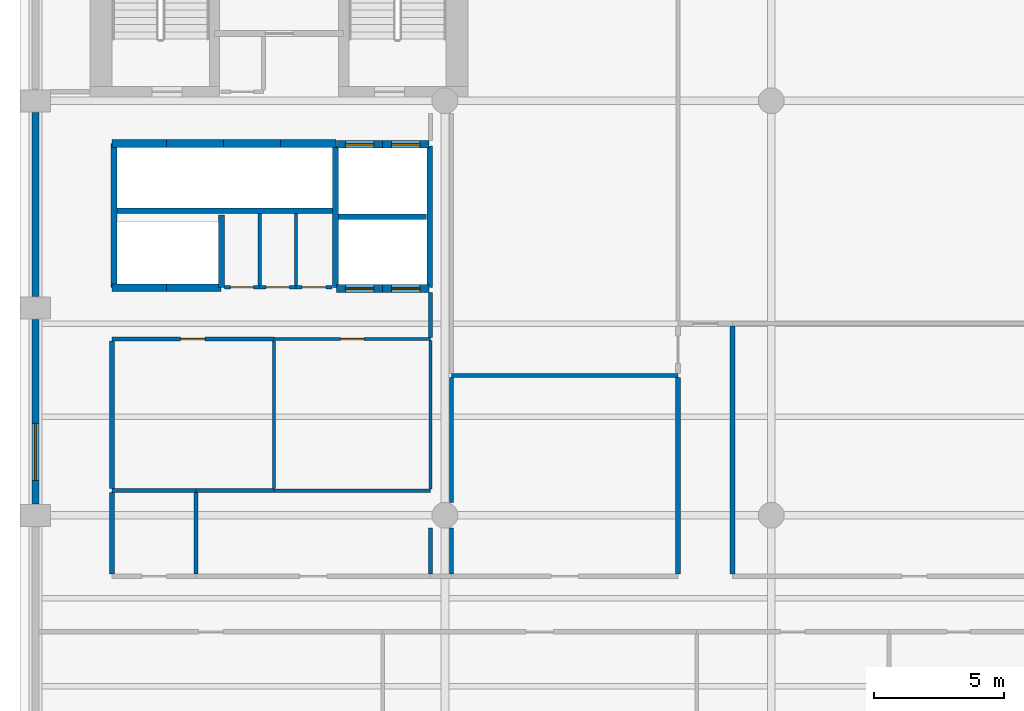
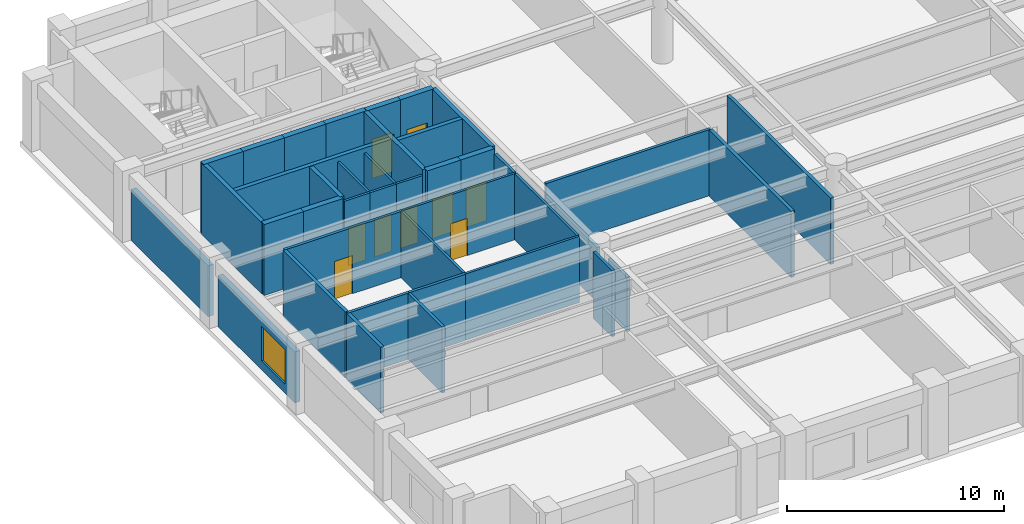
# One storey, part 3 of 8: 40 walls, 9 doors, 1 window, 10 openings.
"""IFC4 building model written with IfcOpenShell, lengths in metres."""

from ifc_helpers import new_model, si_unit, direction, frame, frame_2d, origin, place, context, subcontext, project, spatial, rectangle, extrude, material, layer, layer_set, type_object, element, fill, save


model = new_model("IFC4")

# Units and contexts
model_context = context("Model", 3, precision=1e-05, world=origin(), true_north=direction((0.0, 1.0)))
body_context = subcontext(model_context, "Body", "Model", "MODEL_VIEW")
ifc_project = project(units=[si_unit("LENGTHUNIT", "METRE"), si_unit("AREAUNIT", "SQUARE_METRE"), si_unit("VOLUMEUNIT", "CUBIC_METRE"), si_unit("PLANEANGLEUNIT", "RADIAN"), si_unit("MASSUNIT", "GRAM", prefix="KILO")], contexts=[model_context])

# Site, building, storey
site_placement = place(None, origin())
site = spatial("IfcSite", under=ifc_project, at=site_placement, CompositionType="ELEMENT")
building_placement = place(site_placement, origin())
building = spatial("IfcBuilding", under=site, at=building_placement, Name="Sulina Concourse Tower", CompositionType="ELEMENT")
storey_placement = place(building_placement, frame((0.0, 0.0, 116.60009765625)))
storey = spatial("IfcBuildingStorey", under=building, at=storey_placement, Name="L28", CompositionType="ELEMENT", Elevation=116.60009765625)

# Walls
ifc_material_1 = material(Name="Concrete C50/60", Category="concrete")
ifc_layer_1 = layer(ifc_material_1, 0.219970703125)
ifc_layer_set_1 = layer_set([ifc_layer_1], Name="Concrete C50/60")
wall_type_1 = type_object("IfcWallType", Name="Core Lift Hoistway Divider Wall 220mm", PredefinedType="SOLIDWALL", material=ifc_layer_set_1)
wall_1_placement = place(storey_placement, frame((3.550048828125, 29.75, 0.0), z_axis=(0.0, 0.0, 1.0), x_axis=(1.0, 0.0, 0.0)))
element("IfcWall", 1, at=wall_1_placement, inside=storey, type_object=wall_type_1, Name="L28 shaft divider wall HW-LP3-S", PredefinedType="SOLIDWALL", context=body_context, shape_type="SweptSolid", body=[
    extrude(rectangle(XDim=8.64990234375, YDim=0.219970703125, at=frame_2d((4.324951171875, 0.0))), origin(), (0.0, 0.0, 1.0), 4.0),
])
wall_2_placement = place(storey_placement, frame((3.6298828125, 26.800048828125, 0.0), z_axis=(0.0, 0.0, 1.0), x_axis=(0.0, 1.0, 0.0)))
element("IfcWall", 2, at=wall_2_placement, inside=storey, type_object=wall_type_1, Name="L28 shaft divider wall HW-LP3-W", PredefinedType="SOLIDWALL", context=body_context, shape_type="SweptSolid", body=[
    extrude(rectangle(XDim=5.550048828125, YDim=0.219970703125, at=frame_2d((2.77490234375, 0.0))), origin(), (0.0, 0.0, 1.0), 4.0),
])
wall_3_placement = place(storey_placement, frame((7.780029296875, 26.800048828125, 0.0), z_axis=(0.0, 0.0, 1.0), x_axis=(0.0, 1.0, 0.0)))
element("IfcWall", 3, at=wall_3_placement, inside=storey, type_object=wall_type_1, Name="L28 shaft divider wall HW-EXP-E", PredefinedType="SOLIDWALL", context=body_context, shape_type="SweptSolid", body=[
    extrude(rectangle(XDim=2.800048828125, YDim=0.219970703125, at=frame_2d((1.39990234375, 0.0))), origin(), (0.0, 0.0, 1.0), 4.0),
])
for number, where, z_axis, x_axis, name in (
    (4, (12.179931640625, 26.800048828125, 0.0), (0.0, 0.0, 1.0), (0.0, 1.0, 0.0), "L28 shaft divider wall HW-LP2-W"),
    (5, (15.820068359375, 26.800048828125, 0.0), (0.0, 0.0, 1.0), (0.0, 1.0, 0.0), "L28 shaft divider wall HW-LP2-E"),
):
    element("IfcWall", number, at=place(storey_placement, frame(where, z_axis=z_axis, x_axis=x_axis)), inside=storey, type_object=wall_type_1, Name=name, PredefinedType="SOLIDWALL", context=body_context, shape_type="SweptSolid", body=[
        extrude(rectangle(XDim=5.449951171875, YDim=0.219970703125, at=frame_2d((2.72509765625, 0.0))), origin(), (0.0, 0.0, 1.0), 4.0),
    ])
wall_4_placement = place(storey_placement, frame((12.300048828125, 29.52001953125, 0.0), z_axis=(0.0, 0.0, 1.0), x_axis=(1.0, 0.0, 0.0)))
element("IfcWall", 6, at=wall_4_placement, inside=storey, type_object=wall_type_1, Name="L28 shaft divider wall HW-LP2-M", PredefinedType="SOLIDWALL", context=body_context, shape_type="SweptSolid", body=[
    extrude(rectangle(XDim=3.39990234375, YDim=0.219970703125, at=frame_2d((1.699951171875, 0.0))), origin(), (0.0, 0.0, 1.0), 4.0),
])

# Wall, opening, door
ifc_material_2 = material(Name="Concrete C50/60", Category="concrete")
ifc_layer_2 = layer(ifc_material_2, 0.300048828125)
ifc_layer_set_2 = layer_set([ifc_layer_2], Name="Concrete C50/60")
wall_type_2 = type_object("IfcWallType", Name="Core Lift Hoistway Wall 300mm", PredefinedType="SOLIDWALL", material=ifc_layer_set_2)
wall_5_placement = place(storey_placement, frame((14.0, 26.75, 0.0), z_axis=(0.0, 0.0, 1.0), x_axis=(-1.0, 0.0, 0.0)))
wall_5 = element("IfcWall", 7, at=wall_5_placement, inside=storey, type_object=wall_type_2, Name="L28 hoistway enclosure wall LP-05", PredefinedType="SOLIDWALL", context=body_context, shape_type="SweptSolid", body=[
    extrude(rectangle(XDim=1.780029296875, YDim=0.300048828125, at=frame_2d((0.89013671875, 0.0))), origin(), (0.0, 0.0, 1.0), 4.0),
])
opening_1_placement = place(wall_5_placement, frame((0.340087890625, 0.0, 0.0)))
opening_1 = element("IfcOpeningElement", 8, at=opening_1_placement, cuts=wall_5, Name="Opening LD-01", PredefinedType="OPENING", context=body_context, shape_type="SweptSolid", body=[
    extrude(rectangle(XDim=1.10009765625, YDim=2.199951171875, at=frame_2d((0.550048828125, 1.10009765625))), frame((0.0, 0.159912109375, 0.0), z_axis=(0.0, -1.0, 0.0), x_axis=(1.0, 0.0, 0.0)), (0.0, 0.0, 1.0), 0.320068359375),
])
ifc_material_3 = material(Name="Stainless steel lift landing door", Category="steel")
ifc_layer_3 = layer(ifc_material_3, 0.050048828125)
ifc_layer_set_3 = layer_set([ifc_layer_3], Name="Stainless steel lift landing door")
door_type_1 = type_object("IfcDoorType", Name="Passenger Lift Sliding Landing Door 1100x2200", OperationType="SLIDING_TO_LEFT", PredefinedType="DOOR", material=ifc_layer_set_3)
door_1_placement = place(opening_1_placement, origin())
door_1 = element("IfcDoor", 9, at=door_1_placement, inside=storey, type_object=door_type_1, Name="L28 lift landing sliding door LP-05", OperationType="SLIDING_TO_LEFT", OverallHeight=2.199951171875, OverallWidth=1.10009765625, PredefinedType="DOOR", context=body_context, shape_type="SweptSolid", body=[
    extrude(rectangle(XDim=1.10009765625, YDim=2.199951171875, at=frame_2d((0.550048828125, 1.10009765625))), frame((0.0, 0.02490234375, 0.0), z_axis=(0.0, -1.0, 0.0), x_axis=(1.0, 0.0, 0.0)), (0.0, 0.0, 1.0), 0.050048828125),
])
fill(opening_1, door_1)

wall_6_placement = place(storey_placement, frame((15.780029296875, 26.75, 0.0), z_axis=(0.0, 0.0, 1.0), x_axis=(-1.0, 0.0, 0.0)))
wall_6 = element("IfcWall", 10, at=wall_6_placement, inside=storey, type_object=wall_type_2, Name="L28 hoistway enclosure wall LP-06", PredefinedType="SOLIDWALL", context=body_context, shape_type="SweptSolid", body=[
    extrude(rectangle(XDim=1.780029296875, YDim=0.300048828125, at=frame_2d((0.89013671875, 0.0))), origin(), (0.0, 0.0, 1.0), 4.0),
])
opening_2_placement = place(wall_6_placement, frame((0.340087890625, 0.0, 0.0)))
opening_2 = element("IfcOpeningElement", 11, at=opening_2_placement, cuts=wall_6, Name="Opening LD-01", PredefinedType="OPENING", context=body_context, shape_type="SweptSolid", body=[
    extrude(rectangle(XDim=1.10009765625, YDim=2.199951171875, at=frame_2d((0.550048828125, 1.10009765625))), frame((0.0, 0.159912109375, 0.0), z_axis=(0.0, -1.0, 0.0), x_axis=(1.0, 0.0, 0.0)), (0.0, 0.0, 1.0), 0.320068359375),
])
door_2_placement = place(opening_2_placement, origin())
door_2 = element("IfcDoor", 12, at=door_2_placement, inside=storey, type_object=door_type_1, Name="L28 lift landing sliding door LP-06", OperationType="SLIDING_TO_RIGHT", OverallHeight=2.199951171875, OverallWidth=1.10009765625, PredefinedType="DOOR", context=body_context, shape_type="SweptSolid", body=[
    extrude(rectangle(XDim=1.10009765625, YDim=2.199951171875, at=frame_2d((0.550048828125, 1.10009765625))), frame((0.0, 0.02490234375, 0.0), z_axis=(0.0, -1.0, 0.0), x_axis=(1.0, 0.0, 0.0)), (0.0, 0.0, 1.0), 0.050048828125),
])
fill(opening_2, door_2)

wall_7_placement = place(storey_placement, frame((12.219970703125, 32.320068359375, 0.0), z_axis=(0.0, 0.0, 1.0), x_axis=(1.0, 0.0, 0.0)))
wall_7 = element("IfcWall", 13, at=wall_7_placement, inside=storey, type_object=wall_type_2, Name="L28 hoistway enclosure wall LP-07", PredefinedType="SOLIDWALL", context=body_context, shape_type="SweptSolid", body=[
    extrude(rectangle(XDim=1.780029296875, YDim=0.300048828125, at=frame_2d((0.89013671875, 0.0))), origin(), (0.0, 0.0, 1.0), 4.0),
])
opening_3_placement = place(wall_7_placement, frame((0.340087890625, 0.0, 0.0)))
opening_3 = element("IfcOpeningElement", 14, at=opening_3_placement, cuts=wall_7, Name="Opening LD-01", PredefinedType="OPENING", context=body_context, shape_type="SweptSolid", body=[
    extrude(rectangle(XDim=1.10009765625, YDim=2.199951171875, at=frame_2d((0.550048828125, 1.10009765625))), frame((0.0, 0.159912109375, 0.0), z_axis=(0.0, -1.0, 0.0), x_axis=(1.0, 0.0, 0.0)), (0.0, 0.0, 1.0), 0.320068359375),
])
door_3_placement = place(opening_3_placement, origin())
door_3 = element("IfcDoor", 15, at=door_3_placement, inside=storey, type_object=door_type_1, Name="L28 lift landing sliding door LP-07", OperationType="SLIDING_TO_LEFT", OverallHeight=2.199951171875, OverallWidth=1.10009765625, PredefinedType="DOOR", context=body_context, shape_type="SweptSolid", body=[
    extrude(rectangle(XDim=1.10009765625, YDim=2.199951171875, at=frame_2d((0.550048828125, 1.10009765625))), frame((0.0, 0.02490234375, 0.0), z_axis=(0.0, -1.0, 0.0), x_axis=(1.0, 0.0, 0.0)), (0.0, 0.0, 1.0), 0.050048828125),
])
fill(opening_3, door_3)

wall_8_placement = place(storey_placement, frame((14.0, 32.320068359375, 0.0), z_axis=(0.0, 0.0, 1.0), x_axis=(1.0, 0.0, 0.0)))
wall_8 = element("IfcWall", 16, at=wall_8_placement, inside=storey, type_object=wall_type_2, Name="L28 hoistway enclosure wall LP-08", PredefinedType="SOLIDWALL", context=body_context, shape_type="SweptSolid", body=[
    extrude(rectangle(XDim=1.780029296875, YDim=0.300048828125, at=frame_2d((0.89013671875, 0.0))), origin(), (0.0, 0.0, 1.0), 4.0),
])
opening_4_placement = place(wall_8_placement, frame((0.340087890625, 0.0, 0.0)))
opening_4 = element("IfcOpeningElement", 17, at=opening_4_placement, cuts=wall_8, Name="Opening LD-01", PredefinedType="OPENING", context=body_context, shape_type="SweptSolid", body=[
    extrude(rectangle(XDim=1.10009765625, YDim=2.199951171875, at=frame_2d((0.550048828125, 1.10009765625))), frame((0.0, 0.159912109375, 0.0), z_axis=(0.0, -1.0, 0.0), x_axis=(1.0, 0.0, 0.0)), (0.0, 0.0, 1.0), 0.320068359375),
])
door_4_placement = place(opening_4_placement, origin())
door_4 = element("IfcDoor", 18, at=door_4_placement, inside=storey, type_object=door_type_1, Name="L28 lift landing sliding door LP-08", OperationType="SLIDING_TO_RIGHT", OverallHeight=2.199951171875, OverallWidth=1.10009765625, PredefinedType="DOOR", context=body_context, shape_type="SweptSolid", body=[
    extrude(rectangle(XDim=1.10009765625, YDim=2.199951171875, at=frame_2d((0.550048828125, 1.10009765625))), frame((0.0, 0.02490234375, 0.0), z_axis=(0.0, -1.0, 0.0), x_axis=(1.0, 0.0, 0.0)), (0.0, 0.0, 1.0), 0.050048828125),
])
fill(opening_4, door_4)

# Walls
wall_9_placement = place(storey_placement, frame((3.550048828125, 32.35009765625, 0.0), z_axis=(0.0, 0.0, 1.0), x_axis=(1.0, 0.0, 0.0)))
element("IfcWall", 19, at=wall_9_placement, inside=storey, type_object=wall_type_2, Name="L28 hoistway enclosure wall LP-09", PredefinedType="SOLIDWALL", context=body_context, shape_type="SweptSolid", body=[
    extrude(rectangle(XDim=2.099853515625, YDim=0.300048828125, at=frame_2d((1.0498046875, 0.0))), origin(), (0.0, 0.0, 1.0), 4.0),
])
wall_10_placement = place(storey_placement, frame((5.64990234375, 32.35009765625, 0.0), z_axis=(0.0, 0.0, 1.0), x_axis=(1.0, 0.0, 0.0)))
element("IfcWall", 20, at=wall_10_placement, inside=storey, type_object=wall_type_2, Name="L28 hoistway enclosure wall LP-10", PredefinedType="SOLIDWALL", context=body_context, shape_type="SweptSolid", body=[
    extrude(rectangle(XDim=2.2001953125, YDim=0.300048828125, at=frame_2d((1.10009765625, 0.0))), origin(), (0.0, 0.0, 1.0), 4.0),
])
wall_11_placement = place(storey_placement, frame((7.85009765625, 32.35009765625, 0.0), z_axis=(0.0, 0.0, 1.0), x_axis=(1.0, 0.0, 0.0)))
element("IfcWall", 21, at=wall_11_placement, inside=storey, type_object=wall_type_2, Name="L28 hoistway enclosure wall LP-11", PredefinedType="SOLIDWALL", context=body_context, shape_type="SweptSolid", body=[
    extrude(rectangle(XDim=2.199951171875, YDim=0.300048828125, at=frame_2d((1.10009765625, 0.0))), origin(), (0.0, 0.0, 1.0), 4.0),
])
wall_12_placement = place(storey_placement, frame((10.050048828125, 32.35009765625, 0.0), z_axis=(0.0, 0.0, 1.0), x_axis=(1.0, 0.0, 0.0)))
element("IfcWall", 22, at=wall_12_placement, inside=storey, type_object=wall_type_2, Name="L28 hoistway enclosure wall LP-12", PredefinedType="SOLIDWALL", context=body_context, shape_type="SweptSolid", body=[
    extrude(rectangle(XDim=2.14990234375, YDim=0.300048828125, at=frame_2d((1.074951171875, 0.0))), origin(), (0.0, 0.0, 1.0), 4.0),
])
wall_13_placement = place(storey_placement, frame((5.64990234375, 26.780029296875, 0.0), z_axis=(0.0, 0.0, 1.0), x_axis=(-1.0, 0.0, 0.0)))
element("IfcWall", 23, at=wall_13_placement, inside=storey, type_object=wall_type_2, Name="L28 hoistway enclosure wall EXP-1", PredefinedType="SOLIDWALL", context=body_context, shape_type="SweptSolid", body=[
    extrude(rectangle(XDim=2.099853515625, YDim=0.300048828125, at=frame_2d((1.0498046875, 0.0))), origin(), (0.0, 0.0, 1.0), 4.0),
])
wall_14_placement = place(storey_placement, frame((7.75, 26.780029296875, 0.0), z_axis=(0.0, 0.0, 1.0), x_axis=(-1.0, 0.0, 0.0)))
element("IfcWall", 24, at=wall_14_placement, inside=storey, type_object=wall_type_2, Name="L28 hoistway enclosure wall EXP-2", PredefinedType="SOLIDWALL", context=body_context, shape_type="SweptSolid", body=[
    extrude(rectangle(XDim=2.10009765625, YDim=0.300048828125, at=frame_2d((1.050048828125, 0.0))), origin(), (0.0, 0.0, 1.0), 4.0),
])
ifc_material_4 = material(Name="Gypsum board on steel stud", Category="steel")
ifc_layer_4 = layer(ifc_material_4, 0.14990234375)
ifc_layer_set_4 = layer_set([ifc_layer_4], Name="Gypsum board on steel stud")
wall_type_3 = type_object("IfcWallType", Name="Inter-Tenancy Acoustic Partition 150mm", PredefinedType="PARTITIONING", material=ifc_layer_set_4)
wall_15_placement = place(storey_placement, frame((3.550048828125, 18.949951171875, 0.0), z_axis=(0.0, 0.0, 1.0), x_axis=(1.0, 0.0, 0.0)))
element("IfcWall", 25, at=wall_15_placement, inside=storey, type_object=wall_type_3, Name="L28 interior partition 013", PredefinedType="PARTITIONING", context=body_context, shape_type="SweptSolid", body=[
    extrude(rectangle(XDim=3.25, YDim=0.14990234375, at=frame_2d((1.625, 0.0))), origin(), (0.0, 0.0, 1.0), 3.724853515625),
])
wall_16_placement = place(storey_placement, frame((6.800048828125, 18.949951171875, 0.0), z_axis=(0.0, 0.0, 1.0), x_axis=(1.0, 0.0, 0.0)))
element("IfcWall", 26, at=wall_16_placement, inside=storey, type_object=wall_type_3, Name="L28 interior partition 014", PredefinedType="PARTITIONING", context=body_context, shape_type="SweptSolid", body=[
    extrude(rectangle(XDim=3.0, YDim=0.14990234375, at=frame_2d((1.5, 0.0))), origin(), (0.0, 0.0, 1.0), 3.724853515625),
])
wall_17_placement = place(storey_placement, frame((16.64990234375, 23.39990234375, 0.0), z_axis=(0.0, 0.0, 1.0), x_axis=(1.0, 0.0, 0.0)))
element("IfcWall", 27, at=wall_17_placement, inside=storey, type_object=wall_type_3, Name="L28 interior partition 016", PredefinedType="PARTITIONING", context=body_context, shape_type="SweptSolid", body=[
    extrude(rectangle(XDim=8.75, YDim=0.14990234375, at=frame_2d((4.375, 0.0))), origin(), (0.0, 0.0, 1.0), 3.724853515625),
])

# Wall, opening, door
wall_18_placement = place(storey_placement, frame((3.550048828125, 24.800048828125, 0.0), z_axis=(0.0, 0.0, 1.0), x_axis=(1.0, 0.0, 0.0)))
wall_18 = element("IfcWall", 28, at=wall_18_placement, inside=storey, type_object=wall_type_3, Name="L28 interior partition 017", PredefinedType="PARTITIONING", context=body_context, shape_type="SweptSolid", body=[
    extrude(rectangle(XDim=6.25, YDim=0.14990234375, at=frame_2d((3.125, 0.0))), origin(), (0.0, 0.0, 1.0), 3.724853515625),
])
opening_5_placement = place(wall_18_placement, frame((2.64990234375, 0.0, 0.0)))
opening_5 = element("IfcOpeningElement", 29, at=opening_5_placement, cuts=wall_18, Name="Opening DR-19", PredefinedType="OPENING", context=body_context, shape_type="SweptSolid", body=[
    extrude(rectangle(XDim=0.949951171875, YDim=2.14990234375, at=frame_2d((0.47509765625, 1.074951171875))), frame((0.0, 0.0849609375, 0.0), z_axis=(0.0, -1.0, 0.0), x_axis=(1.0, 0.0, 0.0)), (0.0, 0.0, 1.0), 0.169921875),
])
ifc_material_5 = material(Name="Oak-veneered acoustic timber leaf", Category="wood")
ifc_layer_5 = layer(ifc_material_5, 0.050048828125)
ifc_layer_set_5 = layer_set([ifc_layer_5], Name="Oak-veneered acoustic timber leaf")
door_type_2 = type_object("IfcDoorType", Name="Cellular Office & Meeting Door 950x2150", OperationType="NOTDEFINED", PredefinedType="DOOR", material=ifc_layer_set_5)
door_5_placement = place(opening_5_placement, origin())
door_5 = element("IfcDoor", 30, at=door_5_placement, inside=storey, type_object=door_type_2, Name="L28 interior door L28-LR-MRG1", OperationType="SINGLE_SWING_LEFT", OverallHeight=2.14990234375, OverallWidth=0.949951171875, PredefinedType="DOOR", context=body_context, shape_type="SweptSolid", body=[
    extrude(rectangle(XDim=0.949951171875, YDim=2.14990234375, at=frame_2d((0.47509765625, 1.074951171875))), frame((0.0, 0.02490234375, 0.0), z_axis=(0.0, -1.0, 0.0), x_axis=(1.0, 0.0, 0.0)), (0.0, 0.0, 1.0), 0.050048828125),
])
fill(opening_5, door_5)

# Walls
wall_19_placement = place(storey_placement, frame((6.800048828125, 15.739990234375, 0.0), z_axis=(0.0, 0.0, 1.0), x_axis=(0.0, 1.0, 0.0)))
element("IfcWall", 31, at=wall_19_placement, inside=storey, type_object=wall_type_3, Name="L28 interior partition 032", PredefinedType="PARTITIONING", context=body_context, shape_type="SweptSolid", body=[
    extrude(rectangle(XDim=3.135009765625, YDim=0.14990234375, at=frame_2d((1.5673828125, 0.0))), origin(), (0.0, 0.0, 1.0), 3.724853515625),
])
wall_20_placement = place(storey_placement, frame((15.85009765625, 15.739990234375, 0.0), z_axis=(0.0, 0.0, 1.0), x_axis=(0.0, 1.0, 0.0)))
element("IfcWall", 32, at=wall_20_placement, inside=storey, type_object=wall_type_3, Name="L28 interior partition 038", PredefinedType="PARTITIONING", context=body_context, shape_type="SweptSolid", body=[
    extrude(rectangle(XDim=1.760009765625, YDim=0.14990234375, at=frame_2d((0.8798828125, 0.0))), origin(), (0.0, 0.0, 1.0), 3.724853515625),
])
wall_21_placement = place(storey_placement, frame((15.85009765625, 24.862548828125, 0.0), z_axis=(0.0, 0.0, 1.0), x_axis=(0.0, 1.0, 0.0)))
element("IfcWall", 33, at=wall_21_placement, inside=storey, type_object=wall_type_3, Name="L28 interior partition 040", PredefinedType="PARTITIONING", context=body_context, shape_type="SweptSolid", body=[
    extrude(rectangle(XDim=1.737548828125, YDim=0.14990234375, at=frame_2d((0.86865234375, 0.0))), origin(), (0.0, 0.0, 1.0), 3.724853515625),
])
wall_22_placement = place(storey_placement, frame((16.64990234375, 15.739990234375, 0.0), z_axis=(0.0, 0.0, 1.0), x_axis=(0.0, 1.0, 0.0)))
element("IfcWall", 34, at=wall_22_placement, inside=storey, type_object=wall_type_3, Name="L28 interior partition 042", PredefinedType="PARTITIONING", context=body_context, shape_type="SweptSolid", body=[
    extrude(rectangle(XDim=1.760009765625, YDim=0.14990234375, at=frame_2d((0.8798828125, 0.0))), origin(), (0.0, 0.0, 1.0), 3.06982421875),
])
wall_23_placement = place(storey_placement, frame((16.64990234375, 18.5, 0.0), z_axis=(0.0, 0.0, 1.0), x_axis=(0.0, 1.0, 0.0)))
element("IfcWall", 35, at=wall_23_placement, inside=storey, type_object=wall_type_3, Name="L28 interior partition 043", PredefinedType="PARTITIONING", context=body_context, shape_type="SweptSolid", body=[
    extrude(rectangle(XDim=4.824951171875, YDim=0.14990234375, at=frame_2d((2.41259765625, 0.0))), origin(), (0.0, 0.0, 1.0), 3.06982421875),
])
ifc_material_6 = material(Name="Gypsum board on steel stud", Category="steel")
ifc_layer_6 = layer(ifc_material_6, 0.179931640625)
ifc_layer_set_6 = layer_set([ifc_layer_6], Name="Gypsum board on steel stud")
wall_type_4 = type_object("IfcWallType", Name="Protected Corridor & Riser Partition 180mm", PredefinedType="PARTITIONING", material=ifc_layer_set_6)
wall_24_placement = place(storey_placement, frame((3.550048828125, 15.739990234375, 0.0), z_axis=(0.0, 0.0, 1.0), x_axis=(0.0, 1.0, 0.0)))
element("IfcWall", 36, at=wall_24_placement, inside=storey, type_object=wall_type_4, Name="L28 interior partition 030", PredefinedType="PARTITIONING", context=body_context, shape_type="SweptSolid", body=[
    extrude(rectangle(XDim=3.135009765625, YDim=0.179931640625, at=frame_2d((1.5673828125, 0.0))), origin(), (0.0, 0.0, 1.0), 3.724853515625),
])
wall_25_placement = place(storey_placement, frame((3.550048828125, 19.02490234375, 0.0), z_axis=(0.0, 0.0, 1.0), x_axis=(0.0, 1.0, 0.0)))
element("IfcWall", 37, at=wall_25_placement, inside=storey, type_object=wall_type_4, Name="L28 interior partition 031", PredefinedType="PARTITIONING", context=body_context, shape_type="SweptSolid", body=[
    extrude(rectangle(XDim=5.7001953125, YDim=0.179931640625, at=frame_2d((2.85009765625, 0.0))), origin(), (0.0, 0.0, 1.0), 3.724853515625),
])
wall_26_placement = place(storey_placement, frame((25.39990234375, 15.739990234375, 0.0), z_axis=(0.0, 0.0, 1.0), x_axis=(0.0, 1.0, 0.0)))
element("IfcWall", 38, at=wall_26_placement, inside=storey, type_object=wall_type_4, Name="L28 interior partition 045", PredefinedType="PARTITIONING", context=body_context, shape_type="SweptSolid", body=[
    extrude(rectangle(XDim=7.5849609375, YDim=0.179931640625, at=frame_2d((3.79248046875, 0.0))), origin(), (0.0, 0.0, 1.0), 3.724853515625),
])
wall_27_placement = place(storey_placement, frame((27.5, 15.739990234375, 0.0), z_axis=(0.0, 0.0, 1.0), x_axis=(0.0, 1.0, 0.0)))
element("IfcWall", 39, at=wall_27_placement, inside=storey, type_object=wall_type_4, Name="L28 interior partition 049", PredefinedType="PARTITIONING", context=body_context, shape_type="SweptSolid", body=[
    extrude(rectangle(XDim=9.570068359375, YDim=0.179931640625, at=frame_2d((4.78515625, 0.0))), origin(), (0.0, 0.0, 1.0), 3.724853515625),
])

# Wall, opening, window
ifc_material_7 = material(Name="Precast concrete C50/60", Category="concrete")
ifc_layer_7 = layer(ifc_material_7, 0.280029296875)
ifc_layer_set_7 = layer_set([ifc_layer_7], Name="Precast concrete C50/60")
wall_type_5 = type_object("IfcWallType", Name="Typical Precast Masonry-Frame Facade Wall 280mm", PredefinedType="SOLIDWALL", material=ifc_layer_set_7)
wall_28_placement = place(storey_placement, frame((0.60009765625, 18.445068359375, 0.0), z_axis=(0.0, 0.0, 1.0), x_axis=(0.0, 1.0, 0.0)))
wall_28 = element("IfcWall", 40, at=wall_28_placement, inside=storey, type_object=wall_type_5, Name="L28 exterior precast wall W3", PredefinedType="SOLIDWALL", context=body_context, shape_type="SweptSolid", body=[
    extrude(rectangle(XDim=7.10986328125, YDim=0.280029296875, at=frame_2d((3.554931640625, 0.0))), origin(), (0.0, 0.0, 1.0), 2.875),
])
opening_6_placement = place(wall_28_placement, frame((0.9033203125, 0.0, 0.5)))
opening_6 = element("IfcOpeningElement", 41, at=opening_6_placement, cuts=wall_28, Name="Opening WN-76", PredefinedType="OPENING", context=body_context, shape_type="SweptSolid", body=[
    extrude(rectangle(XDim=2.199951171875, YDim=1.949951171875, at=frame_2d((1.10009765625, 0.97509765625))), frame((0.0, 0.14990234375, 0.0), z_axis=(0.0, -1.0, 0.0), x_axis=(1.0, 0.0, 0.0)), (0.0, 0.0, 1.0), 0.300048828125),
])
ifc_material_8 = material(Name="Low-E solar double glazing in bronze aluminium", Category="aluminium")
window_type = type_object("IfcWindowType", Name="Recessed Spandrel Window 2200x1950", PartitioningType="DOUBLE_PANEL_VERTICAL", PredefinedType="WINDOW", material=ifc_material_8)
window_placement = place(opening_6_placement, origin())
window = element("IfcWindow", 42, at=window_placement, inside=storey, type_object=window_type, Name="L28 punched window W3-1", OverallHeight=1.949951171875, OverallWidth=2.199951171875, PartitioningType="SINGLE_PANEL", PredefinedType="WINDOW", context=body_context, shape_type="SweptSolid", body=[
    extrude(rectangle(XDim=2.199951171875, YDim=1.949951171875, at=frame_2d((1.10009765625, 0.97509765625))), frame((0.0, 0.030029296875, 0.0), z_axis=(0.0, -1.0, 0.0), x_axis=(1.0, 0.0, 0.0)), (0.0, 0.0, 1.0), 0.06005859375),
])
fill(opening_6, window)

# Walls
wall_29_placement = place(storey_placement, frame((0.60009765625, 26.445068359375, 0.0), z_axis=(0.0, 0.0, 1.0), x_axis=(0.0, 1.0, 0.0)))
element("IfcWall", 43, at=wall_29_placement, inside=storey, type_object=wall_type_5, Name="L28 exterior precast wall W4", PredefinedType="SOLIDWALL", context=body_context, shape_type="SweptSolid", body=[
    extrude(rectangle(XDim=7.10986328125, YDim=0.280029296875, at=frame_2d((3.554931640625, 0.0))), origin(), (0.0, 0.0, 1.0), 2.875),
])
ifc_material_9 = material(Name="Gypsum board on steel stud", Category="steel")
ifc_layer_8 = layer(ifc_material_9, 0.125)
ifc_layer_set_8 = layer_set([ifc_layer_8], Name="Gypsum board on steel stud")
wall_type_6 = type_object("IfcWallType", Name="Wet-Area Moisture-Resistant Partition 125mm", PredefinedType="PARTITIONING", material=ifc_layer_set_8)
wall_30_placement = place(storey_placement, frame((9.800048828125, 18.949951171875, 0.0), z_axis=(0.0, 0.0, 1.0), x_axis=(1.0, 0.0, 0.0)))
element("IfcWall", 44, at=wall_30_placement, inside=storey, type_object=wall_type_6, Name="L28 interior partition 015", PredefinedType="PARTITIONING", context=body_context, shape_type="SweptSolid", body=[
    extrude(rectangle(XDim=6.050048828125, YDim=0.125, at=frame_2d((3.02490234375, 0.0))), origin(), (0.0, 0.0, 1.0), 3.724853515625),
])

# Wall, opening, door
wall_31_placement = place(storey_placement, frame((9.800048828125, 24.800048828125, 0.0), z_axis=(0.0, 0.0, 1.0), x_axis=(1.0, 0.0, 0.0)))
wall_31 = element("IfcWall", 45, at=wall_31_placement, inside=storey, type_object=wall_type_6, Name="L28 interior partition 018", PredefinedType="PARTITIONING", context=body_context, shape_type="SweptSolid", body=[
    extrude(rectangle(XDim=6.050048828125, YDim=0.125, at=frame_2d((3.02490234375, 0.0))), origin(), (0.0, 0.0, 1.0), 3.724853515625),
])
opening_7_placement = place(wall_31_placement, frame((2.574951171875, 0.0, 0.0)))
opening_7 = element("IfcOpeningElement", 46, at=opening_7_placement, cuts=wall_31, Name="Opening DR-21", PredefinedType="OPENING", context=body_context, shape_type="SweptSolid", body=[
    extrude(rectangle(XDim=0.89990234375, YDim=2.10009765625, at=frame_2d((0.449951171875, 1.050048828125))), frame((0.0, 0.072509765625, 0.0), z_axis=(0.0, -1.0, 0.0), x_axis=(1.0, 0.0, 0.0)), (0.0, 0.0, 1.0), 0.14501953125),
])
ifc_material_10 = material(Name="Oak-veneered fire door leaf")
ifc_layer_9 = layer(ifc_material_10, 0.050048828125)
ifc_layer_set_9 = layer_set([ifc_layer_9], Name="Oak-veneered fire door leaf")
door_type_3 = type_object("IfcDoorType", Name="Restroom & Service Door 900x2100", OperationType="NOTDEFINED", PredefinedType="DOOR", material=ifc_layer_set_9)
door_6_placement = place(opening_7_placement, origin())
door_6 = element("IfcDoor", 47, at=door_6_placement, inside=storey, type_object=door_type_3, Name="L28 interior door L28-LR-MRG2", OperationType="SINGLE_SWING_RIGHT", OverallHeight=2.10009765625, OverallWidth=0.89990234375, PredefinedType="DOOR", context=body_context, shape_type="SweptSolid", body=[
    extrude(rectangle(XDim=0.89990234375, YDim=2.10009765625, at=frame_2d((0.449951171875, 1.050048828125))), frame((0.0, 0.02490234375, 0.0), z_axis=(0.0, -1.0, 0.0), x_axis=(1.0, 0.0, 0.0)), (0.0, 0.0, 1.0), 0.050048828125),
])
fill(opening_7, door_6)

wall_32_placement = place(storey_placement, frame((7.889892578125, 26.800048828125, 0.0), z_axis=(0.0, 0.0, 1.0), x_axis=(1.0, 0.0, 0.0)))
wall_32 = element("IfcWall", 48, at=wall_32_placement, inside=storey, type_object=wall_type_6, Name="L28 interior partition 021", PredefinedType="PARTITIONING", context=body_context, shape_type="SweptSolid", body=[
    extrude(rectangle(XDim=1.360107421875, YDim=0.125, at=frame_2d((0.68017578125, 0.0))), origin(), (0.0, 0.0, 1.0), 3.724853515625),
])
opening_8_placement = place(wall_32_placement, frame((0.22998046875, 0.0, 0.0)))
opening_8 = element("IfcOpeningElement", 49, at=opening_8_placement, cuts=wall_32, Name="Opening DR-21", PredefinedType="OPENING", context=body_context, shape_type="SweptSolid", body=[
    extrude(rectangle(XDim=0.89990234375, YDim=2.10009765625, at=frame_2d((0.449951171875, 1.050048828125))), frame((0.0, 0.072509765625, 0.0), z_axis=(0.0, -1.0, 0.0), x_axis=(1.0, 0.0, 0.0)), (0.0, 0.0, 1.0), 0.14501953125),
])
door_7_placement = place(opening_8_placement, origin())
door_7 = element("IfcDoor", 50, at=door_7_placement, inside=storey, type_object=door_type_3, Name="L28 interior door L28-WC-M", OperationType="SINGLE_SWING_RIGHT", OverallHeight=2.10009765625, OverallWidth=0.89990234375, PredefinedType="DOOR", context=body_context, shape_type="SweptSolid", body=[
    extrude(rectangle(XDim=0.89990234375, YDim=2.10009765625, at=frame_2d((0.449951171875, 1.050048828125))), frame((0.0, 0.02490234375, 0.0), z_axis=(0.0, -1.0, 0.0), x_axis=(1.0, 0.0, 0.0)), (0.0, 0.0, 1.0), 0.050048828125),
])
fill(opening_8, door_7)

wall_33_placement = place(storey_placement, frame((9.25, 26.800048828125, 0.0), z_axis=(0.0, 0.0, 1.0), x_axis=(1.0, 0.0, 0.0)))
wall_33 = element("IfcWall", 51, at=wall_33_placement, inside=storey, type_object=wall_type_6, Name="L28 interior partition 022", PredefinedType="PARTITIONING", context=body_context, shape_type="SweptSolid", body=[
    extrude(rectangle(XDim=1.39990234375, YDim=0.125, at=frame_2d((0.699951171875, 0.0))), origin(), (0.0, 0.0, 1.0), 3.724853515625),
])
opening_9_placement = place(wall_33_placement, frame((0.25, 0.0, 0.0)))
opening_9 = element("IfcOpeningElement", 52, at=opening_9_placement, cuts=wall_33, Name="Opening DR-21", PredefinedType="OPENING", context=body_context, shape_type="SweptSolid", body=[
    extrude(rectangle(XDim=0.89990234375, YDim=2.10009765625, at=frame_2d((0.449951171875, 1.050048828125))), frame((0.0, 0.072509765625, 0.0), z_axis=(0.0, -1.0, 0.0), x_axis=(1.0, 0.0, 0.0)), (0.0, 0.0, 1.0), 0.14501953125),
])
door_8_placement = place(opening_9_placement, origin())
door_8 = element("IfcDoor", 53, at=door_8_placement, inside=storey, type_object=door_type_3, Name="L28 interior door L28-WC-F", OperationType="SINGLE_SWING_LEFT", OverallHeight=2.10009765625, OverallWidth=0.89990234375, PredefinedType="DOOR", context=body_context, shape_type="SweptSolid", body=[
    extrude(rectangle(XDim=0.89990234375, YDim=2.10009765625, at=frame_2d((0.449951171875, 1.050048828125))), frame((0.0, 0.02490234375, 0.0), z_axis=(0.0, -1.0, 0.0), x_axis=(1.0, 0.0, 0.0)), (0.0, 0.0, 1.0), 0.050048828125),
])
fill(opening_9, door_8)

wall_34_placement = place(storey_placement, frame((10.64990234375, 26.800048828125, 0.0), z_axis=(0.0, 0.0, 1.0), x_axis=(1.0, 0.0, 0.0)))
wall_34 = element("IfcWall", 54, at=wall_34_placement, inside=storey, type_object=wall_type_6, Name="L28 interior partition 023", PredefinedType="PARTITIONING", context=body_context, shape_type="SweptSolid", body=[
    extrude(rectangle(XDim=1.400146484375, YDim=0.125, at=frame_2d((0.7001953125, 0.0))), origin(), (0.0, 0.0, 1.0), 3.724853515625),
])
opening_10_placement = place(wall_34_placement, frame((0.239990234375, 0.0, 0.0)))
opening_10 = element("IfcOpeningElement", 55, at=opening_10_placement, cuts=wall_34, Name="Opening DR-61", PredefinedType="OPENING", context=body_context, shape_type="SweptSolid", body=[
    extrude(rectangle(XDim=0.919921875, YDim=2.10009765625, at=frame_2d((0.4599609375, 1.050048828125))), frame((0.0, 0.072509765625, 0.0), z_axis=(0.0, -1.0, 0.0), x_axis=(1.0, 0.0, 0.0)), (0.0, 0.0, 1.0), 0.14501953125),
])
ifc_material_11 = material(Name="Oak-veneered fire door leaf")
ifc_layer_10 = layer(ifc_material_11, 0.050048828125)
ifc_layer_set_10 = layer_set([ifc_layer_10], Name="Oak-veneered fire door leaf")
door_type_4 = type_object("IfcDoorType", Name="Accessible WC Door 920x2100", OperationType="NOTDEFINED", PredefinedType="DOOR", material=ifc_layer_set_10)
door_9_placement = place(opening_10_placement, origin())
door_9 = element("IfcDoor", 56, at=door_9_placement, inside=storey, type_object=door_type_4, Name="L28 interior door L28-WC-ACC", OperationType="SINGLE_SWING_RIGHT", OverallHeight=2.10009765625, OverallWidth=0.919921875, PredefinedType="DOOR", context=body_context, shape_type="SweptSolid", body=[
    extrude(rectangle(XDim=0.919921875, YDim=2.10009765625, at=frame_2d((0.4599609375, 1.050048828125))), frame((0.0, 0.02490234375, 0.0), z_axis=(0.0, -1.0, 0.0), x_axis=(1.0, 0.0, 0.0)), (0.0, 0.0, 1.0), 0.050048828125),
])
fill(opening_10, door_9)

# Walls
wall_35_placement = place(storey_placement, frame((9.25, 26.862548828125, 0.0), z_axis=(0.0, 0.0, 1.0), x_axis=(0.0, 1.0, 0.0)))
element("IfcWall", 57, at=wall_35_placement, inside=storey, type_object=wall_type_6, Name="L28 interior partition 033", PredefinedType="PARTITIONING", context=body_context, shape_type="SweptSolid", body=[
    extrude(rectangle(XDim=2.77734375, YDim=0.125, at=frame_2d((1.388671875, 0.0))), origin(), (0.0, 0.0, 1.0), 3.724853515625),
])
wall_36_placement = place(storey_placement, frame((9.800048828125, 19.02490234375, 0.0), z_axis=(0.0, 0.0, 1.0), x_axis=(0.0, 1.0, 0.0)))
element("IfcWall", 58, at=wall_36_placement, inside=storey, type_object=wall_type_6, Name="L28 interior partition 035", PredefinedType="PARTITIONING", context=body_context, shape_type="SweptSolid", body=[
    extrude(rectangle(XDim=5.7001953125, YDim=0.125, at=frame_2d((2.85009765625, 0.0))), origin(), (0.0, 0.0, 1.0), 3.724853515625),
])
wall_37_placement = place(storey_placement, frame((10.64990234375, 26.862548828125, 0.0), z_axis=(0.0, 0.0, 1.0), x_axis=(0.0, 1.0, 0.0)))
element("IfcWall", 59, at=wall_37_placement, inside=storey, type_object=wall_type_6, Name="L28 interior partition 036", PredefinedType="PARTITIONING", context=body_context, shape_type="SweptSolid", body=[
    extrude(rectangle(XDim=2.77734375, YDim=0.125, at=frame_2d((1.388671875, 0.0))), origin(), (0.0, 0.0, 1.0), 3.724853515625),
])
wall_38_placement = place(storey_placement, frame((15.85009765625, 19.012451171875, 0.0), z_axis=(0.0, 0.0, 1.0), x_axis=(0.0, 1.0, 0.0)))
element("IfcWall", 60, at=wall_38_placement, inside=storey, type_object=wall_type_6, Name="L28 interior partition 039", PredefinedType="PARTITIONING", context=body_context, shape_type="SweptSolid", body=[
    extrude(rectangle(XDim=5.72509765625, YDim=0.125, at=frame_2d((2.862548828125, 0.0))), origin(), (0.0, 0.0, 1.0), 3.724853515625),
])

save(model, "model.ifc")
